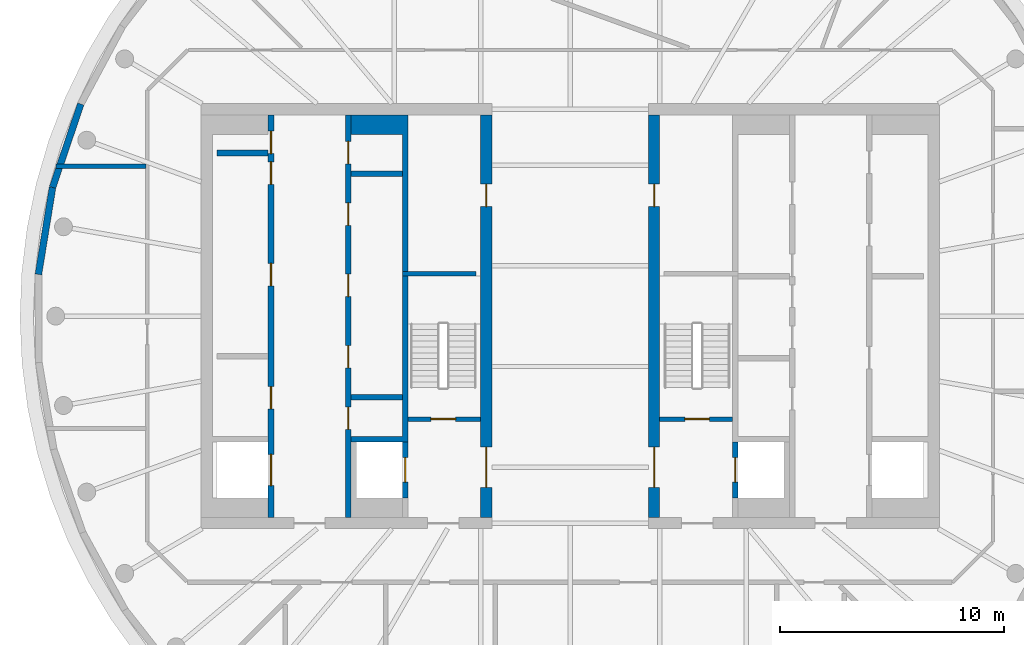
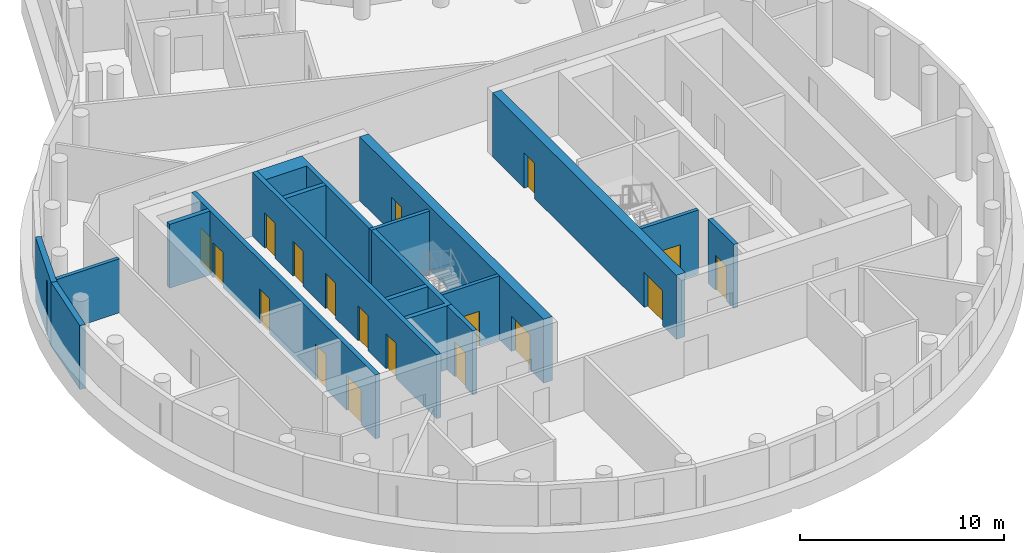
# One storey, part 3 of 7: 18 doors, 16 walls, 18 openings.
"""IFC4 building model written with IfcOpenShell, lengths in metres."""

import ifcopenshell
import ifcopenshell.guid

model = None  # the IFC model being written
_history = None  # IfcOwnerHistory: only IFC2X3 demands one
_inside = {}  # id of a spatial element -> (the spatial element, [elements in it])
_under = {}  # id of a project, library or spatial element -> (it, [spatial elements below it])
_declared = {}  # id of a project -> (the project, [libraries it declares])
_typed = {}  # id of a type object -> (the type object, [elements of that type])
_made_of = {}  # id of a material, layer set ... -> (it, [elements and type objects made of it])


def new_model(schema):
    """Start an empty IFC model of exactly this schema.

    Asked for "IFC4X3", IfcOpenShell would pick the latest addendum, in which some entities
    have other attributes; the version numbers below select the first issue.
    IFC2X3 requires an IfcOwnerHistory on every rooted entity: one is made here for all.
    """
    global model, _history
    if schema == "IFC4X3":
        model = ifcopenshell.file(schema_version=(4, 3, 0, 0))
    else:
        model = ifcopenshell.file(schema=schema)
    _inside.clear()
    _under.clear()
    _declared.clear()
    _typed.clear()
    _made_of.clear()
    _history = None
    if model.schema == "IFC2X3":
        org = make("IfcOrganization", Name="unknown")
        user = make(
            "IfcPersonAndOrganization",
            ThePerson=make("IfcPerson", FamilyName="unknown"),
            TheOrganization=org,
        )
        app = make(
            "IfcApplication",
            ApplicationDeveloper=org,
            Version="unknown",
            ApplicationFullName="unknown",
            ApplicationIdentifier="unknown",
        )
        _history = make(
            "IfcOwnerHistory",
            OwningUser=user,
            OwningApplication=app,
            ChangeAction="ADDED",
            CreationDate=0,
        )
    return model


def make(cls, **values):
    """One entity of the class cls with the attributes given. An attribute that is None is left unset."""
    return model.create_entity(
        cls, **{name: value for name, value in values.items() if value is not None}
    )


def rooted(cls, **values):
    """An entity with a GlobalId (a new one), such as an element, a storey or a relation."""
    return make(cls, GlobalId=ifcopenshell.guid.new(), OwnerHistory=_history, **values)


def si_unit(unit_type, name, prefix=None):
    """IfcSIUnit, for example si_unit("LENGTHUNIT", "METRE", prefix="MILLI")."""
    return make("IfcSIUnit", UnitType=unit_type, Prefix=prefix, Name=name)


def assignment(units):
    """IfcUnitAssignment: the units of a project."""
    return None if units is None else make("IfcUnitAssignment", Units=units)


def point(xyz):
    """IfcCartesianPoint."""
    return None if xyz is None else make("IfcCartesianPoint", Coordinates=xyz)


def direction(xyz):
    """IfcDirection."""
    return None if xyz is None else make("IfcDirection", DirectionRatios=xyz)


def frame(location, z_axis=None, x_axis=None):
    """IfcAxis2Placement3D, a coordinate frame: its origin and axes. An axis left out is left unset."""
    return make(
        "IfcAxis2Placement3D",
        Location=point(location),
        Axis=direction(z_axis),
        RefDirection=direction(x_axis),
    )


def frame_2d(location, x_axis=None):
    """IfcAxis2Placement2D, a coordinate frame in the plane: its origin and x axis."""
    return make(
        "IfcAxis2Placement2D", Location=point(location), RefDirection=direction(x_axis)
    )


def origin():
    """The frame at (0, 0, 0) with its axes left unset."""
    return frame((0.0, 0.0, 0.0))


def place(relative_to, where):
    """IfcLocalPlacement: puts the frame where relative to a parent placement (None: the world)."""
    return make(
        "IfcLocalPlacement", PlacementRelTo=relative_to, RelativePlacement=where
    )


def context(
    kind, dimensions, precision=None, world=None, true_north=None, identifier=None
):
    """IfcGeometricRepresentationContext, for example the 3D "Model" context."""
    return make(
        "IfcGeometricRepresentationContext",
        ContextIdentifier=identifier,
        ContextType=kind,
        CoordinateSpaceDimension=dimensions,
        Precision=precision,
        WorldCoordinateSystem=world,
        TrueNorth=true_north,
    )


def subcontext(parent, identifier, kind, view, scale=None):
    """IfcGeometricRepresentationSubContext, for example "Body" below "Model"."""
    return make(
        "IfcGeometricRepresentationSubContext",
        ContextIdentifier=identifier,
        ContextType=kind,
        ParentContext=parent,
        TargetScale=scale,
        TargetView=view,
    )


def project(units=None, contexts=None):
    """IfcProject with its units and contexts."""
    return rooted(
        "IfcProject",
        Name="project",
        RepresentationContexts=contexts,
        UnitsInContext=assignment(units),
    )


def spatial(cls, under=None, at=None, **own):
    """A site, building, storey or space (cls), placed at a placement, below another one or the project."""
    s = rooted(cls, ObjectPlacement=at, **own)
    if under is not None:
        _under.setdefault(under.id(), (under, []))[1].append(s)
    return s


def polyline(points):
    """IfcPolyline through the points."""
    return make("IfcPolyline", Points=[point(p) for p in points])


def profile(cls, at=None, kind="AREA", **sizes):
    """A parametric profile (cls). Its sizes go by their IFC names, for example OverallWidth=200.0."""
    return make(cls, ProfileType=kind, Position=at, **sizes)


def rectangle(**sizes):
    """IfcRectangleProfileDef."""
    return profile("IfcRectangleProfileDef", **sizes)


def outline(outer, holes=None, kind="AREA"):
    """IfcArbitraryClosedProfileDef: a profile drawn as a closed curve; with holes, ...WithVoids."""
    if holes is None:
        return make("IfcArbitraryClosedProfileDef", ProfileType=kind, OuterCurve=outer)
    return make(
        "IfcArbitraryProfileDefWithVoids",
        ProfileType=kind,
        OuterCurve=outer,
        InnerCurves=holes,
    )


def extrude(swept, where, along, depth):
    """IfcExtrudedAreaSolid: the profile swept, set in the frame where, extruded along a direction by depth."""
    return make(
        "IfcExtrudedAreaSolid",
        SweptArea=swept,
        Position=where,
        ExtrudedDirection=direction(along),
        Depth=depth,
    )


def shape(context_of_items, identifier, shape_type, items):
    """IfcShapeRepresentation: the items that make up one representation, for example the "Body"."""
    return make(
        "IfcShapeRepresentation",
        ContextOfItems=context_of_items,
        RepresentationIdentifier=identifier,
        RepresentationType=shape_type,
        Items=items,
    )


def material(Name=None, Category=None):
    """IfcMaterial."""
    return make("IfcMaterial", Name=Name, Category=Category)


def layer(
    of_material, thickness, ventilated=None, Name=None, Category=None, Priority=None
):
    """IfcMaterialLayer: one layer of a wall or slab, of a material (None: an air gap)."""
    return make(
        "IfcMaterialLayer",
        Material=of_material,
        LayerThickness=thickness,
        IsVentilated=ventilated,
        Name=Name,
        Category=Category,
        Priority=Priority,
    )


def layer_set(layers, Name=None):
    """IfcMaterialLayerSet."""
    return make("IfcMaterialLayerSet", MaterialLayers=layers, LayerSetName=Name)


def made_of(thing, what):
    """Note that an element or type object is made of a material, layer set ...; save() writes the relation."""
    if what is not None:
        _made_of.setdefault(what.id(), (what, []))[1].append(thing)
    return thing


def type_object(cls, material=None, **own):
    """A type object (cls), such as IfcWallType, which elements share."""
    return made_of(rooted(cls, **own), material)


def element(
    cls,
    number,
    at=None,
    inside=None,
    cuts=None,
    type_object=None,
    material=None,
    context=None,
    identifier="Body",
    shape_type=None,
    held_by="IfcProductDefinitionShape",
    body=None,
    shapes=None,
    **own,
):
    """One element of the class cls, such as IfcWall. Its Tag is "e" and its number.

    at: its placement. inside: the storey or other place that contains it. cuts: it is an
    opening in that element (IfcRelVoidsElement). A single representation is given by context,
    identifier, shape_type and body (its items); several are given by shapes. held_by: the class
    of the entity that holds the representations. save() writes the other relations.
    """
    e = rooted(cls, Tag="e%d" % number, ObjectPlacement=at, **own)
    if body is not None:
        shapes = [shape(context, identifier, shape_type, body)]
    if shapes is not None:
        e.Representation = make(held_by, Representations=shapes)
    if inside is not None:
        _inside.setdefault(inside.id(), (inside, []))[1].append(e)
    if cuts is not None:
        rooted(
            "IfcRelVoidsElement", RelatingBuildingElement=cuts, RelatedOpeningElement=e
        )
    if type_object is not None:
        _typed.setdefault(type_object.id(), (type_object, []))[1].append(e)
    return made_of(e, material)


def fill(opening, filler):
    """IfcRelFillsElement: the door or window that sits in an opening."""
    return rooted(
        "IfcRelFillsElement",
        RelatingOpeningElement=opening,
        RelatedBuildingElement=filler,
    )


def aggregate(whole, parts):
    """IfcRelAggregates: a whole, such as a stair, and the parts it consists of."""
    return rooted("IfcRelAggregates", RelatingObject=whole, RelatedObjects=parts)


def save(model, path):
    """Write the relations noted so far, then the file.

    IfcRelAggregates (storeys below a building ...), IfcRelContainedInSpatialStructure (elements
    in a storey), IfcRelDefinesByType, IfcRelAssociatesMaterial and IfcRelDeclares: one each for
    every whole, place, type object, material and project.
    """
    for whole, parts in _under.values():
        aggregate(whole, parts)
    for where, things in _inside.values():
        rooted(
            "IfcRelContainedInSpatialStructure",
            RelatedElements=things,
            RelatingStructure=where,
        )
    for kind, things in _typed.values():
        rooted("IfcRelDefinesByType", RelatedObjects=things, RelatingType=kind)
    for what, things in _made_of.values():
        rooted("IfcRelAssociatesMaterial", RelatedObjects=things, RelatingMaterial=what)
    for by, libraries in _declared.values():
        rooted("IfcRelDeclares", RelatingContext=by, RelatedDefinitions=libraries)
    model.write(path)


model = new_model("IFC4")

# Units and contexts
model_context = context("Model", 3, precision=1e-05, world=origin(), true_north=direction((0.0, 1.0)))
body_context = subcontext(model_context, "Body", "Model", "MODEL_VIEW")
ifc_project = project(units=[si_unit("LENGTHUNIT", "METRE"), si_unit("AREAUNIT", "SQUARE_METRE"), si_unit("VOLUMEUNIT", "CUBIC_METRE"), si_unit("PLANEANGLEUNIT", "RADIAN"), si_unit("MASSUNIT", "GRAM", prefix="KILO")], contexts=[model_context])

# Site, building, storey
site_placement = place(None, origin())
site = spatial("IfcSite", under=ifc_project, at=site_placement, CompositionType="ELEMENT")
building_placement = place(site_placement, origin())
building = spatial("IfcBuilding", under=site, at=building_placement, Name="Tamarind Cross Interchange Tower", CompositionType="ELEMENT")
storey_placement = place(building_placement, frame((0.0, 0.0, 317.39990234375)))
storey = spatial("IfcBuildingStorey", under=building, at=storey_placement, Name="L78", CompositionType="ELEMENT", Elevation=317.39990234375)

# Wall, openings, doors
ifc_material_1 = material(Name="Concrete C50", Category="concrete")
ifc_layer_1 = layer(ifc_material_1, 0.5)
ifc_layer_set_1 = layer_set([ifc_layer_1], Name="Concrete C50")
wall_type_1 = type_object("IfcWallType", Name="Core wall 500 mm Concrete C50", PredefinedType="SHEAR", material=ifc_layer_set_1)
wall_1_placement = place(storey_placement, frame((-3.75, -9.0, 0.0), z_axis=(0.0, 0.0, 1.0), x_axis=(0.0, 1.0, 0.0)))
wall_1 = element("IfcWall", 1, at=wall_1_placement, inside=storey, type_object=wall_type_1, Name="Core wall CWL-L78-W-IN", PredefinedType="SHEAR", context=body_context, shape_type="SweptSolid", body=[
    extrude(rectangle(XDim=18.0, YDim=0.5, at=frame_2d((9.0, 0.0))), origin(), (0.0, 0.0, 1.0), 3.820068359375),
])
opening_1_placement = place(wall_1_placement, frame((1.35009765625, 0.0, 0.0)))
opening_1 = element("IfcOpeningElement", 2, at=opening_1_placement, cuts=wall_1, Name="Opening DCW4", PredefinedType="OPENING", context=body_context, shape_type="SweptSolid", body=[
    extrude(rectangle(XDim=1.800048828125, YDim=2.10009765625, at=frame_2d((0.89990234375, 1.050048828125))), frame((0.0, 0.260009765625, 0.0), z_axis=(0.0, -1.0, 0.0), x_axis=(1.0, 0.0, 0.0)), (0.0, 0.0, 1.0), 0.52001953125),
])
opening_2_placement = place(wall_1_placement, frame((13.89990234375, 0.0, 0.0)))
opening_2 = element("IfcOpeningElement", 3, at=opening_2_placement, cuts=wall_1, Name="Opening DCW5", PredefinedType="OPENING", context=body_context, shape_type="SweptSolid", body=[
    extrude(rectangle(XDim=1.0, YDim=2.10009765625, at=frame_2d((0.5, 1.050048828125))), frame((0.0, 0.260009765625, 0.0), z_axis=(0.0, -1.0, 0.0), x_axis=(1.0, 0.0, 0.0)), (0.0, 0.0, 1.0), 0.52001953125),
])
ifc_material_2 = material(Name="Steel, fire-resisting", Category="steel")
door_type_1 = type_object("IfcDoorType", Name="Core fire door 1000 x 2100 FD90", OperationType="SINGLE_SWING_LEFT", PredefinedType="DOOR", material=ifc_material_2)
door_1_placement = place(opening_2_placement, origin())
door_1 = element("IfcDoor", 4, at=door_1_placement, inside=storey, type_object=door_type_1, Name="L78 riser room door", OperationType="SINGLE_SWING_LEFT", OverallHeight=2.10009765625, OverallWidth=1.0, PredefinedType="DOOR", context=body_context, shape_type="SweptSolid", body=[
    extrude(rectangle(XDim=1.0, YDim=2.10009765625, at=frame_2d((0.5, 1.050048828125))), frame((0.0, 0.02490234375, 0.0), z_axis=(0.0, -1.0, 0.0), x_axis=(1.0, 0.0, 0.0)), (0.0, 0.0, 1.0), 0.050048828125),
])
fill(opening_2, door_1)
door_type_2 = type_object("IfcDoorType", Name="Core fire door 1800 x 2100 FD90", OperationType="SINGLE_SWING_LEFT", PredefinedType="DOOR", material=ifc_material_2)
door_2_placement = place(opening_1_placement, origin())
door_2 = element("IfcDoor", 5, at=door_2_placement, inside=storey, type_object=door_type_2, Name="L78 firefighting lobby door", OperationType="SINGLE_SWING_LEFT", OverallHeight=2.10009765625, OverallWidth=1.800048828125, PredefinedType="DOOR", context=body_context, shape_type="SweptSolid", body=[
    extrude(rectangle(XDim=1.800048828125, YDim=2.10009765625, at=frame_2d((0.89990234375, 1.050048828125))), frame((0.0, 0.02490234375, 0.0), z_axis=(0.0, -1.0, 0.0), x_axis=(1.0, 0.0, 0.0)), (0.0, 0.0, 1.0), 0.050048828125),
])
fill(opening_1, door_2)

wall_2_placement = place(storey_placement, frame((3.75, -9.0, 0.0), z_axis=(0.0, 0.0, 1.0), x_axis=(0.0, 1.0, 0.0)))
wall_2 = element("IfcWall", 6, at=wall_2_placement, inside=storey, type_object=wall_type_1, Name="Core wall CWL-L78-E-IN", PredefinedType="SHEAR", context=body_context, shape_type="SweptSolid", body=[
    extrude(rectangle(XDim=18.0, YDim=0.5, at=frame_2d((9.0, 0.0))), origin(), (0.0, 0.0, 1.0), 3.820068359375),
])
opening_3_placement = place(wall_2_placement, frame((1.35009765625, 0.0, 0.0)))
opening_3 = element("IfcOpeningElement", 7, at=opening_3_placement, cuts=wall_2, Name="Opening DCE4", PredefinedType="OPENING", context=body_context, shape_type="SweptSolid", body=[
    extrude(rectangle(XDim=1.800048828125, YDim=2.10009765625, at=frame_2d((0.89990234375, 1.050048828125))), frame((0.0, 0.260009765625, 0.0), z_axis=(0.0, -1.0, 0.0), x_axis=(1.0, 0.0, 0.0)), (0.0, 0.0, 1.0), 0.52001953125),
])
opening_4_placement = place(wall_2_placement, frame((13.89990234375, 0.0, 0.0)))
opening_4 = element("IfcOpeningElement", 8, at=opening_4_placement, cuts=wall_2, Name="Opening DCE5", PredefinedType="OPENING", context=body_context, shape_type="SweptSolid", body=[
    extrude(rectangle(XDim=1.0, YDim=2.10009765625, at=frame_2d((0.5, 1.050048828125))), frame((0.0, 0.260009765625, 0.0), z_axis=(0.0, -1.0, 0.0), x_axis=(1.0, 0.0, 0.0)), (0.0, 0.0, 1.0), 0.52001953125),
])
door_3_placement = place(opening_4_placement, origin())
door_3 = element("IfcDoor", 9, at=door_3_placement, inside=storey, type_object=door_type_1, Name="L78 riser room door", OperationType="SINGLE_SWING_LEFT", OverallHeight=2.10009765625, OverallWidth=1.0, PredefinedType="DOOR", context=body_context, shape_type="SweptSolid", body=[
    extrude(rectangle(XDim=1.0, YDim=2.10009765625, at=frame_2d((0.5, 1.050048828125))), frame((0.0, 0.02490234375, 0.0), z_axis=(0.0, -1.0, 0.0), x_axis=(1.0, 0.0, 0.0)), (0.0, 0.0, 1.0), 0.050048828125),
])
fill(opening_4, door_3)
door_4_placement = place(opening_3_placement, origin())
door_4 = element("IfcDoor", 10, at=door_4_placement, inside=storey, type_object=door_type_2, Name="L78 firefighting lobby door", OperationType="SINGLE_SWING_LEFT", OverallHeight=2.10009765625, OverallWidth=1.800048828125, PredefinedType="DOOR", context=body_context, shape_type="SweptSolid", body=[
    extrude(rectangle(XDim=1.800048828125, YDim=2.10009765625, at=frame_2d((0.89990234375, 1.050048828125))), frame((0.0, 0.02490234375, 0.0), z_axis=(0.0, -1.0, 0.0), x_axis=(1.0, 0.0, 0.0)), (0.0, 0.0, 1.0), 0.050048828125),
])
fill(opening_3, door_4)

# Walls
ifc_layer_2 = layer(ifc_material_1, 0.199951171875)
ifc_layer_set_2 = layer_set([ifc_layer_2], Name="Concrete C50")
wall_type_2 = type_object("IfcWallType", Name="Core web wall 200 mm Concrete C50", PredefinedType="SHEAR", material=ifc_layer_set_2)
wall_3_placement = place(storey_placement, frame((-7.5, 1.89990234375, 0.0), z_axis=(0.0, 0.0, 1.0), x_axis=(1.0, 0.0, 0.0)))
element("IfcWall", 11, at=wall_3_placement, inside=storey, type_object=wall_type_2, Name="Core wall CWL-L78-W-BD", PredefinedType="SHEAR", context=body_context, shape_type="SweptSolid", body=[
    extrude(rectangle(XDim=3.300048828125, YDim=0.199951171875, at=frame_2d((1.64990234375, 0.0))), origin(), (0.0, 0.0, 1.0), 3.820068359375),
])
ifc_layer_3 = layer(ifc_material_1, 0.25)
ifc_layer_set_3 = layer_set([ifc_layer_3], Name="Concrete C50")
wall_type_3 = type_object("IfcWallType", Name="Core web wall 250 mm Concrete C50", PredefinedType="SHEAR", material=ifc_layer_set_3)
wall_4_placement = place(storey_placement, origin())
element("IfcWall", 12, at=wall_4_placement, inside=storey, type_object=wall_type_3, Name="Core wall CWL-L78-W-BN", PredefinedType="SHEAR", context=body_context, shape_type="SweptSolid", body=[
    extrude(outline(polyline([(-9.800048828125, -5.625), (-7.5, -5.625), (-7.25, -5.625), (-7.25, 9.0), (-7.5, 9.0), (-9.800048828125, 9.0), (-9.800048828125, 8.125), (-7.5, 8.125), (-7.5, -5.375), (-9.800048828125, -5.375), (-9.800048828125, -5.625)])), origin(), (0.0, 0.0, 1.0), 3.820068359375),
])

# Wall, openings, doors
wall_5_placement = place(storey_placement, frame((-13.375, -9.0, 0.0), z_axis=(0.0, 0.0, 1.0), x_axis=(0.0, 1.0, 0.0)))
wall_5 = element("IfcWall", 13, at=wall_5_placement, inside=storey, type_object=wall_type_3, Name="Core wall CWL-L78-W-LA", PredefinedType="SHEAR", context=body_context, shape_type="SweptSolid", body=[
    extrude(rectangle(XDim=18.0, YDim=0.25, at=frame_2d((9.0, 0.0))), origin(), (0.0, 0.0, 1.0), 3.820068359375),
])
opening_5_placement = place(wall_5_placement, frame((1.425048828125, 0.0, 0.0)))
opening_5 = element("IfcOpeningElement", 14, at=opening_5_placement, cuts=wall_5, Name="Opening LD1L78", PredefinedType="OPENING", context=body_context, shape_type="SweptSolid", body=[
    extrude(rectangle(XDim=1.39990234375, YDim=2.10009765625, at=frame_2d((0.699951171875, 1.050048828125))), frame((0.0, 0.135009765625, 0.0), z_axis=(0.0, -1.0, 0.0), x_axis=(1.0, 0.0, 0.0)), (0.0, 0.0, 1.0), 0.27001953125),
])
opening_6_placement = place(wall_5_placement, frame((4.85400390625, 0.0, 0.0)))
opening_6 = element("IfcOpeningElement", 15, at=opening_6_placement, cuts=wall_5, Name="Opening DCW9", PredefinedType="OPENING", context=body_context, shape_type="SweptSolid", body=[
    extrude(rectangle(XDim=1.0, YDim=2.10009765625, at=frame_2d((0.5, 1.050048828125))), frame((0.0, 0.135009765625, 0.0), z_axis=(0.0, -1.0, 0.0), x_axis=(1.0, 0.0, 0.0)), (0.0, 0.0, 1.0), 0.27001953125),
])
opening_7_placement = place(wall_5_placement, frame((10.35400390625, 0.0, 0.0)))
opening_7 = element("IfcOpeningElement", 16, at=opening_7_placement, cuts=wall_5, Name="Opening DCW10", PredefinedType="OPENING", context=body_context, shape_type="SweptSolid", body=[
    extrude(rectangle(XDim=1.0, YDim=2.10009765625, at=frame_2d((0.5, 1.050048828125))), frame((0.0, 0.135009765625, 0.0), z_axis=(0.0, -1.0, 0.0), x_axis=(1.0, 0.0, 0.0)), (0.0, 0.0, 1.0), 0.27001953125),
])
opening_8_placement = place(wall_5_placement, frame((14.89599609375, 0.0, 0.0)))
opening_8 = element("IfcOpeningElement", 17, at=opening_8_placement, cuts=wall_5, Name="Opening DCW17", PredefinedType="OPENING", context=body_context, shape_type="SweptSolid", body=[
    extrude(rectangle(XDim=1.0, YDim=2.10009765625, at=frame_2d((0.5, 1.050048828125))), frame((0.0, 0.135009765625, 0.0), z_axis=(0.0, -1.0, 0.0), x_axis=(1.0, 0.0, 0.0)), (0.0, 0.0, 1.0), 0.27001953125),
])
opening_9_placement = place(wall_5_placement, frame((16.27099609375, 0.0, 0.0)))
opening_9 = element("IfcOpeningElement", 18, at=opening_9_placement, cuts=wall_5, Name="Opening DCW18", PredefinedType="OPENING", context=body_context, shape_type="SweptSolid", body=[
    extrude(rectangle(XDim=1.0, YDim=2.10009765625, at=frame_2d((0.5, 1.050048828125))), frame((0.0, 0.135009765625, 0.0), z_axis=(0.0, -1.0, 0.0), x_axis=(1.0, 0.0, 0.0)), (0.0, 0.0, 1.0), 0.27001953125),
])
door_5_placement = place(opening_6_placement, origin())
door_5 = element("IfcDoor", 19, at=door_5_placement, inside=storey, type_object=door_type_1, Name="L78 Storage room door", OperationType="SINGLE_SWING_LEFT", OverallHeight=2.10009765625, OverallWidth=1.0, PredefinedType="DOOR", context=body_context, shape_type="SweptSolid", body=[
    extrude(rectangle(XDim=1.0, YDim=2.10009765625, at=frame_2d((0.5, 1.050048828125))), frame((0.0, 0.02490234375, 0.0), z_axis=(0.0, -1.0, 0.0), x_axis=(1.0, 0.0, 0.0)), (0.0, 0.0, 1.0), 0.050048828125),
])
fill(opening_6, door_5)
door_6_placement = place(opening_7_placement, origin())
door_6 = element("IfcDoor", 20, at=door_6_placement, inside=storey, type_object=door_type_1, Name="L78 Battery room door", OperationType="SINGLE_SWING_LEFT", OverallHeight=2.10009765625, OverallWidth=1.0, PredefinedType="DOOR", context=body_context, shape_type="SweptSolid", body=[
    extrude(rectangle(XDim=1.0, YDim=2.10009765625, at=frame_2d((0.5, 1.050048828125))), frame((0.0, 0.02490234375, 0.0), z_axis=(0.0, -1.0, 0.0), x_axis=(1.0, 0.0, 0.0)), (0.0, 0.0, 1.0), 0.050048828125),
])
fill(opening_7, door_6)
door_7_placement = place(opening_8_placement, origin())
door_7 = element("IfcDoor", 21, at=door_7_placement, inside=storey, type_object=door_type_1, Name="L78 Switch room door", OperationType="SINGLE_SWING_LEFT", OverallHeight=2.10009765625, OverallWidth=1.0, PredefinedType="DOOR", context=body_context, shape_type="SweptSolid", body=[
    extrude(rectangle(XDim=1.0, YDim=2.10009765625, at=frame_2d((0.5, 1.050048828125))), frame((0.0, 0.02490234375, 0.0), z_axis=(0.0, -1.0, 0.0), x_axis=(1.0, 0.0, 0.0)), (0.0, 0.0, 1.0), 0.050048828125),
])
fill(opening_8, door_7)
door_8_placement = place(opening_9_placement, origin())
door_8 = element("IfcDoor", 22, at=door_8_placement, inside=storey, type_object=door_type_1, Name="L78 Pump room door", OperationType="SINGLE_SWING_LEFT", OverallHeight=2.10009765625, OverallWidth=1.0, PredefinedType="DOOR", context=body_context, shape_type="SweptSolid", body=[
    extrude(rectangle(XDim=1.0, YDim=2.10009765625, at=frame_2d((0.5, 1.050048828125))), frame((0.0, 0.02490234375, 0.0), z_axis=(0.0, -1.0, 0.0), x_axis=(1.0, 0.0, 0.0)), (0.0, 0.0, 1.0), 0.050048828125),
])
fill(opening_9, door_8)
ifc_material_3 = material(Name="Stainless steel panel", Category="steel")
door_type_3 = type_object("IfcDoorType", Name="Lift landing door 1400 x 2100 E 120", OperationType="SLIDING_TO_LEFT", PredefinedType="DOOR", material=ifc_material_3)
door_9_placement = place(opening_5_placement, origin())
door_9 = element("IfcDoor", 23, at=door_9_placement, inside=storey, type_object=door_type_3, Name="L78 landing door LF1", OperationType="SLIDING_TO_LEFT", OverallHeight=2.10009765625, OverallWidth=1.39990234375, PredefinedType="DOOR", context=body_context, shape_type="SweptSolid", body=[
    extrude(rectangle(XDim=1.39990234375, YDim=2.10009765625, at=frame_2d((0.699951171875, 1.050048828125))), frame((0.0, 0.02490234375, 0.0), z_axis=(0.0, -1.0, 0.0), x_axis=(1.0, 0.0, 0.0)), (0.0, 0.0, 1.0), 0.050048828125),
])
fill(opening_5, door_9)

wall_6_placement = place(storey_placement, frame((-9.925048828125, -9.0, 0.0), z_axis=(0.0, 0.0, 1.0), x_axis=(0.0, 1.0, 0.0)))
wall_6 = element("IfcWall", 24, at=wall_6_placement, inside=storey, type_object=wall_type_3, Name="Core wall CWL-L78-W-LB", PredefinedType="SHEAR", context=body_context, shape_type="SweptSolid", body=[
    extrude(rectangle(XDim=18.0, YDim=0.25, at=frame_2d((9.0, 0.0))), origin(), (0.0, 0.0, 1.0), 3.820068359375),
])
opening_10_placement = place(wall_6_placement, frame((3.9375, 0.0, 0.0)))
opening_10 = element("IfcOpeningElement", 25, at=opening_10_placement, cuts=wall_6, Name="Opening DCW21", PredefinedType="OPENING", context=body_context, shape_type="SweptSolid", body=[
    extrude(rectangle(XDim=1.0, YDim=2.10009765625, at=frame_2d((0.5, 1.050048828125))), frame((0.0, 0.135009765625, 0.0), z_axis=(0.0, -1.0, 0.0), x_axis=(1.0, 0.0, 0.0)), (0.0, 0.0, 1.0), 0.27001953125),
])
opening_11_placement = place(wall_6_placement, frame((6.6875, 0.0, 0.0)))
opening_11 = element("IfcOpeningElement", 26, at=opening_11_placement, cuts=wall_6, Name="Opening DCW22", PredefinedType="OPENING", context=body_context, shape_type="SweptSolid", body=[
    extrude(rectangle(XDim=1.0, YDim=2.10009765625, at=frame_2d((0.5, 1.050048828125))), frame((0.0, 0.135009765625, 0.0), z_axis=(0.0, -1.0, 0.0), x_axis=(1.0, 0.0, 0.0)), (0.0, 0.0, 1.0), 0.27001953125),
])
opening_12_placement = place(wall_6_placement, frame((9.875, 0.0, 0.0)))
opening_12 = element("IfcOpeningElement", 27, at=opening_12_placement, cuts=wall_6, Name="Opening DCW21", PredefinedType="OPENING", context=body_context, shape_type="SweptSolid", body=[
    extrude(rectangle(XDim=1.0, YDim=2.10009765625, at=frame_2d((0.5, 1.050048828125))), frame((0.0, 0.135009765625, 0.0), z_axis=(0.0, -1.0, 0.0), x_axis=(1.0, 0.0, 0.0)), (0.0, 0.0, 1.0), 0.27001953125),
])
opening_13_placement = place(wall_6_placement, frame((13.0625, 0.0, 0.0)))
opening_13 = element("IfcOpeningElement", 28, at=opening_13_placement, cuts=wall_6, Name="Opening DCW21", PredefinedType="OPENING", context=body_context, shape_type="SweptSolid", body=[
    extrude(rectangle(XDim=1.0, YDim=2.10009765625, at=frame_2d((0.5, 1.050048828125))), frame((0.0, 0.135009765625, 0.0), z_axis=(0.0, -1.0, 0.0), x_axis=(1.0, 0.0, 0.0)), (0.0, 0.0, 1.0), 0.27001953125),
])
opening_14_placement = place(wall_6_placement, frame((15.8125, 0.0, 0.0)))
opening_14 = element("IfcOpeningElement", 29, at=opening_14_placement, cuts=wall_6, Name="Opening DCW22", PredefinedType="OPENING", context=body_context, shape_type="SweptSolid", body=[
    extrude(rectangle(XDim=1.0, YDim=2.10009765625, at=frame_2d((0.5, 1.050048828125))), frame((0.0, 0.135009765625, 0.0), z_axis=(0.0, -1.0, 0.0), x_axis=(1.0, 0.0, 0.0)), (0.0, 0.0, 1.0), 0.27001953125),
])
door_10_placement = place(opening_10_placement, origin())
door_10 = element("IfcDoor", 30, at=door_10_placement, inside=storey, type_object=door_type_1, Name="L78 Switch room door", OperationType="SINGLE_SWING_LEFT", OverallHeight=2.10009765625, OverallWidth=1.0, PredefinedType="DOOR", context=body_context, shape_type="SweptSolid", body=[
    extrude(rectangle(XDim=1.0, YDim=2.10009765625, at=frame_2d((0.5, 1.050048828125))), frame((0.0, 0.02490234375, 0.0), z_axis=(0.0, -1.0, 0.0), x_axis=(1.0, 0.0, 0.0)), (0.0, 0.0, 1.0), 0.050048828125),
])
fill(opening_10, door_10)
door_11_placement = place(opening_11_placement, origin())
door_11 = element("IfcDoor", 31, at=door_11_placement, inside=storey, type_object=door_type_1, Name="L78 Pump room door", OperationType="SINGLE_SWING_LEFT", OverallHeight=2.10009765625, OverallWidth=1.0, PredefinedType="DOOR", context=body_context, shape_type="SweptSolid", body=[
    extrude(rectangle(XDim=1.0, YDim=2.10009765625, at=frame_2d((0.5, 1.050048828125))), frame((0.0, 0.02490234375, 0.0), z_axis=(0.0, -1.0, 0.0), x_axis=(1.0, 0.0, 0.0)), (0.0, 0.0, 1.0), 0.050048828125),
])
fill(opening_11, door_11)
door_12_placement = place(opening_12_placement, origin())
door_12 = element("IfcDoor", 32, at=door_12_placement, inside=storey, type_object=door_type_1, Name="L78 Pump room door", OperationType="SINGLE_SWING_LEFT", OverallHeight=2.10009765625, OverallWidth=1.0, PredefinedType="DOOR", context=body_context, shape_type="SweptSolid", body=[
    extrude(rectangle(XDim=1.0, YDim=2.10009765625, at=frame_2d((0.5, 1.050048828125))), frame((0.0, 0.02490234375, 0.0), z_axis=(0.0, -1.0, 0.0), x_axis=(1.0, 0.0, 0.0)), (0.0, 0.0, 1.0), 0.050048828125),
])
fill(opening_12, door_12)
door_13_placement = place(opening_13_placement, origin())
door_13 = element("IfcDoor", 33, at=door_13_placement, inside=storey, type_object=door_type_1, Name="L78 Battery room door", OperationType="SINGLE_SWING_LEFT", OverallHeight=2.10009765625, OverallWidth=1.0, PredefinedType="DOOR", context=body_context, shape_type="SweptSolid", body=[
    extrude(rectangle(XDim=1.0, YDim=2.10009765625, at=frame_2d((0.5, 1.050048828125))), frame((0.0, 0.02490234375, 0.0), z_axis=(0.0, -1.0, 0.0), x_axis=(1.0, 0.0, 0.0)), (0.0, 0.0, 1.0), 0.050048828125),
])
fill(opening_13, door_13)
door_14_placement = place(opening_14_placement, origin())
door_14 = element("IfcDoor", 34, at=door_14_placement, inside=storey, type_object=door_type_1, Name="L78 Switch room door", OperationType="SINGLE_SWING_LEFT", OverallHeight=2.10009765625, OverallWidth=1.0, PredefinedType="DOOR", context=body_context, shape_type="SweptSolid", body=[
    extrude(rectangle(XDim=1.0, YDim=2.10009765625, at=frame_2d((0.5, 1.050048828125))), frame((0.0, 0.02490234375, 0.0), z_axis=(0.0, -1.0, 0.0), x_axis=(1.0, 0.0, 0.0)), (0.0, 0.0, 1.0), 0.050048828125),
])
fill(opening_14, door_14)

# Wall, opening, door
wall_7_placement = place(storey_placement, frame((-7.375, -8.125, 0.0), z_axis=(0.0, 0.0, 1.0), x_axis=(0.0, 1.0, 0.0)))
wall_7 = element("IfcWall", 35, at=wall_7_placement, inside=storey, type_object=wall_type_3, Name="Core wall CWL-L78-W-FF", PredefinedType="SHEAR", context=body_context, shape_type="SweptSolid", body=[
    extrude(rectangle(XDim=2.5, YDim=0.25, at=frame_2d((1.25, 0.0))), origin(), (0.0, 0.0, 1.0), 3.820068359375),
])
opening_15_placement = place(wall_7_placement, frame((0.699951171875, 0.0, 0.0)))
opening_15 = element("IfcOpeningElement", 36, at=opening_15_placement, cuts=wall_7, Name="Opening LD7L78", PredefinedType="OPENING", context=body_context, shape_type="SweptSolid", body=[
    extrude(rectangle(XDim=1.10009765625, YDim=2.10009765625, at=frame_2d((0.550048828125, 1.050048828125))), frame((0.0, 0.135009765625, 0.0), z_axis=(0.0, -1.0, 0.0), x_axis=(1.0, 0.0, 0.0)), (0.0, 0.0, 1.0), 0.27001953125),
])
door_type_4 = type_object("IfcDoorType", Name="Lift landing door 1100 x 2100 E 120", OperationType="SLIDING_TO_LEFT", PredefinedType="DOOR", material=ifc_material_3)
door_15_placement = place(opening_15_placement, origin())
door_15 = element("IfcDoor", 37, at=door_15_placement, inside=storey, type_object=door_type_4, Name="L78 landing door LF7", OperationType="SLIDING_TO_LEFT", OverallHeight=2.10009765625, OverallWidth=1.10009765625, PredefinedType="DOOR", context=body_context, shape_type="SweptSolid", body=[
    extrude(rectangle(XDim=1.10009765625, YDim=2.10009765625, at=frame_2d((0.550048828125, 1.050048828125))), frame((0.0, 0.02490234375, 0.0), z_axis=(0.0, -1.0, 0.0), x_axis=(1.0, 0.0, 0.0)), (0.0, 0.0, 1.0), 0.050048828125),
])
fill(opening_15, door_15)

wall_8_placement = place(storey_placement, frame((7.375, -8.125, 0.0), z_axis=(0.0, 0.0, 1.0), x_axis=(0.0, 1.0, 0.0)))
wall_8 = element("IfcWall", 38, at=wall_8_placement, inside=storey, type_object=wall_type_3, Name="Core wall CWL-L78-E-FF", PredefinedType="SHEAR", context=body_context, shape_type="SweptSolid", body=[
    extrude(rectangle(XDim=2.5, YDim=0.25, at=frame_2d((1.25, 0.0))), origin(), (0.0, 0.0, 1.0), 3.820068359375),
])
opening_16_placement = place(wall_8_placement, frame((0.699951171875, 0.0, 0.0)))
opening_16 = element("IfcOpeningElement", 39, at=opening_16_placement, cuts=wall_8, Name="Opening LD19L78", PredefinedType="OPENING", context=body_context, shape_type="SweptSolid", body=[
    extrude(rectangle(XDim=1.10009765625, YDim=2.10009765625, at=frame_2d((0.550048828125, 1.050048828125))), frame((0.0, 0.135009765625, 0.0), z_axis=(0.0, -1.0, 0.0), x_axis=(1.0, 0.0, 0.0)), (0.0, 0.0, 1.0), 0.27001953125),
])
door_16_placement = place(opening_16_placement, origin())
door_16 = element("IfcDoor", 40, at=door_16_placement, inside=storey, type_object=door_type_4, Name="L78 landing door LF19", OperationType="SLIDING_TO_LEFT", OverallHeight=2.10009765625, OverallWidth=1.10009765625, PredefinedType="DOOR", context=body_context, shape_type="SweptSolid", body=[
    extrude(rectangle(XDim=1.10009765625, YDim=2.10009765625, at=frame_2d((0.550048828125, 1.050048828125))), frame((0.0, 0.02490234375, 0.0), z_axis=(0.0, -1.0, 0.0), x_axis=(1.0, 0.0, 0.0)), (0.0, 0.0, 1.0), 0.050048828125),
])
fill(opening_16, door_16)

# Walls
ifc_material_4 = material(Name="Gypsum board partition on steel studs", Category="steel")
ifc_layer_4 = layer(ifc_material_4, 0.199951171875)
ifc_layer_set_4 = layer_set([ifc_layer_4], Name="Gypsum board partition on steel studs")
wall_type_4 = type_object("IfcWallType", Name="Partition 200 mm EI 180", PredefinedType="PARTITIONING", material=ifc_layer_set_4)
wall_9_placement = place(storey_placement, frame((-22.979736328125, 6.696044921875, 0.0), z_axis=(0.0, 0.0, 1.0), x_axis=(1.0, 0.0, 0.0)))
element("IfcWall", 41, at=wall_9_placement, inside=storey, type_object=wall_type_4, Name="Partition L78-013", PredefinedType="PARTITIONING", context=body_context, shape_type="SweptSolid", body=[
    extrude(rectangle(XDim=4.024658203125, YDim=0.199951171875, at=frame_2d((2.01220703125, 0.0))), origin(), (0.0, 0.0, 1.0), 3.22021484375),
])
ifc_material_5 = material(Name="Precast concrete C40", Category="concrete")
ifc_layer_5 = layer(ifc_material_5, 0.300048828125)
ifc_layer_set_5 = layer_set([ifc_layer_5], Name="Precast concrete C40")
wall_type_5 = type_object("IfcWallType", Name="Plant louvre wall", PredefinedType="SOLIDWALL", material=ifc_layer_set_5)
wall_10_placement = place(storey_placement, frame((-21.87841796875, 9.484619140625, 0.0), z_axis=(0.0, 0.0, 1.0), x_axis=(-0.320613287718, -0.947210177172, 0.0)))
element("IfcWall", 42, at=wall_10_placement, inside=storey, type_object=wall_type_5, Name="EXW-L78-02-04", PredefinedType="SOLIDWALL", context=body_context, shape_type="SweptSolid", body=[
    extrude(rectangle(XDim=3.9384765625, YDim=0.300048828125, at=frame_2d((1.96923828125, 0.0))), origin(), (0.0, 0.0, 1.0), 3.820068359375),
])
wall_11_placement = place(storey_placement, frame((-23.14111328125, 5.754150390625, 0.0), z_axis=(0.0, 0.0, 1.0), x_axis=(-0.160376439891, -0.987055924215, 0.0)))
element("IfcWall", 43, at=wall_11_placement, inside=storey, type_object=wall_type_5, Name="EXW-L78-02-05", PredefinedType="SOLIDWALL", context=body_context, shape_type="SweptSolid", body=[
    extrude(rectangle(XDim=3.938232421875, YDim=0.300048828125, at=frame_2d((1.96923828125, 0.0))), origin(), (0.0, 0.0, 1.0), 3.820068359375),
])
ifc_material_6 = material(Name="Concrete C40", Category="concrete")
ifc_layer_6 = layer(ifc_material_6, 0.25)
ifc_layer_set_6 = layer_set([ifc_layer_6], Name="Concrete C40")
wall_type_6 = type_object("IfcWallType", Name="Shaft and lobby wall 250 mm Concrete C40", PredefinedType="PARTITIONING", material=ifc_layer_set_6)
for number, where, z_axis, x_axis, name in (
    (44, (-15.800048828125, 7.2919921875, 0.0), (0.0, 0.0, 1.0), (1.0, 0.0, 0.0), "Shaft wall CWL-L78-W-FPA5"),
    (45, (-9.800048828125, -3.625, 0.0), (0.0, 0.0, 1.0), (1.0, 0.0, 0.0), "Shaft wall CWL-L78-W-FPB1"),
    (46, (-9.800048828125, 6.375, 0.0), (0.0, 0.0, 1.0), (1.0, 0.0, 0.0), "Shaft wall CWL-L78-W-FPB4"),
):
    element("IfcWall", number, at=place(storey_placement, frame(where, z_axis=z_axis, x_axis=x_axis)), inside=storey, type_object=wall_type_6, Name=name, PredefinedType="PARTITIONING", context=body_context, shape_type="SweptSolid", body=[
        extrude(rectangle(XDim=2.300048828125, YDim=0.25, at=frame_2d((1.14990234375, 0.0))), origin(), (0.0, 0.0, 1.0), 3.820068359375),
    ])

# Wall, opening, door
ifc_layer_7 = layer(ifc_material_6, 0.199951171875)
ifc_layer_set_7 = layer_set([ifc_layer_7], Name="Concrete C40")
wall_type_7 = type_object("IfcWallType", Name="Stair shaft wall 200 mm Concrete C40", PredefinedType="SHEAR", material=ifc_layer_set_7)
wall_12_placement = place(storey_placement, frame((-7.25, -4.60009765625, 0.0), z_axis=(0.0, 0.0, 1.0), x_axis=(1.0, 0.0, 0.0)))
wall_12 = element("IfcWall", 47, at=wall_12_placement, inside=storey, type_object=wall_type_7, Name="Core wall CWL-L78-W-SD", PredefinedType="SHEAR", context=body_context, shape_type="SweptSolid", body=[
    extrude(rectangle(XDim=3.25, YDim=0.199951171875, at=frame_2d((1.625, 0.0))), origin(), (0.0, 0.0, 1.0), 3.820068359375),
])
opening_17_placement = place(wall_12_placement, frame((1.02490234375, 0.0, 0.0)))
opening_17 = element("IfcOpeningElement", 48, at=opening_17_placement, cuts=wall_12, Name="Opening DCW6", PredefinedType="OPENING", context=body_context, shape_type="SweptSolid", body=[
    extrude(rectangle(XDim=1.10009765625, YDim=2.10009765625, at=frame_2d((0.550048828125, 1.050048828125))), frame((0.0, 0.10986328125, 0.0), z_axis=(0.0, -1.0, 0.0), x_axis=(1.0, 0.0, 0.0)), (0.0, 0.0, 1.0), 0.219970703125),
])
door_type_5 = type_object("IfcDoorType", Name="Core fire door 1100 x 2100 FD90", OperationType="SINGLE_SWING_LEFT", PredefinedType="DOOR", material=ifc_material_2)
door_17_placement = place(opening_17_placement, origin())
door_17 = element("IfcDoor", 49, at=door_17_placement, inside=storey, type_object=door_type_5, Name="L78 stair door", OperationType="SINGLE_SWING_LEFT", OverallHeight=2.10009765625, OverallWidth=1.10009765625, PredefinedType="DOOR", context=body_context, shape_type="SweptSolid", body=[
    extrude(rectangle(XDim=1.10009765625, YDim=2.10009765625, at=frame_2d((0.550048828125, 1.050048828125))), frame((0.0, 0.02490234375, 0.0), z_axis=(0.0, -1.0, 0.0), x_axis=(1.0, 0.0, 0.0)), (0.0, 0.0, 1.0), 0.050048828125),
])
fill(opening_17, door_17)

wall_13_placement = place(storey_placement, frame((7.25, -4.60009765625, 0.0), z_axis=(0.0, 0.0, 1.0), x_axis=(-1.0, 0.0, 0.0)))
wall_13 = element("IfcWall", 50, at=wall_13_placement, inside=storey, type_object=wall_type_7, Name="Core wall CWL-L78-E-SD", PredefinedType="SHEAR", context=body_context, shape_type="SweptSolid", body=[
    extrude(rectangle(XDim=3.25, YDim=0.199951171875, at=frame_2d((1.625, 0.0))), origin(), (0.0, 0.0, 1.0), 3.820068359375),
])
opening_18_placement = place(wall_13_placement, frame((1.02490234375, 0.0, 0.0)))
opening_18 = element("IfcOpeningElement", 51, at=opening_18_placement, cuts=wall_13, Name="Opening DCE6", PredefinedType="OPENING", context=body_context, shape_type="SweptSolid", body=[
    extrude(rectangle(XDim=1.10009765625, YDim=2.10009765625, at=frame_2d((0.550048828125, 1.050048828125))), frame((0.0, 0.10986328125, 0.0), z_axis=(0.0, -1.0, 0.0), x_axis=(1.0, 0.0, 0.0)), (0.0, 0.0, 1.0), 0.219970703125),
])
door_18_placement = place(opening_18_placement, origin())
door_18 = element("IfcDoor", 52, at=door_18_placement, inside=storey, type_object=door_type_5, Name="L78 stair door", OperationType="SINGLE_SWING_LEFT", OverallHeight=2.10009765625, OverallWidth=1.10009765625, PredefinedType="DOOR", context=body_context, shape_type="SweptSolid", body=[
    extrude(rectangle(XDim=1.10009765625, YDim=2.10009765625, at=frame_2d((0.550048828125, 1.050048828125))), frame((0.0, 0.02490234375, 0.0), z_axis=(0.0, -1.0, 0.0), x_axis=(1.0, 0.0, 0.0)), (0.0, 0.0, 1.0), 0.050048828125),
])
fill(opening_18, door_18)

save(model, "model.ifc")
